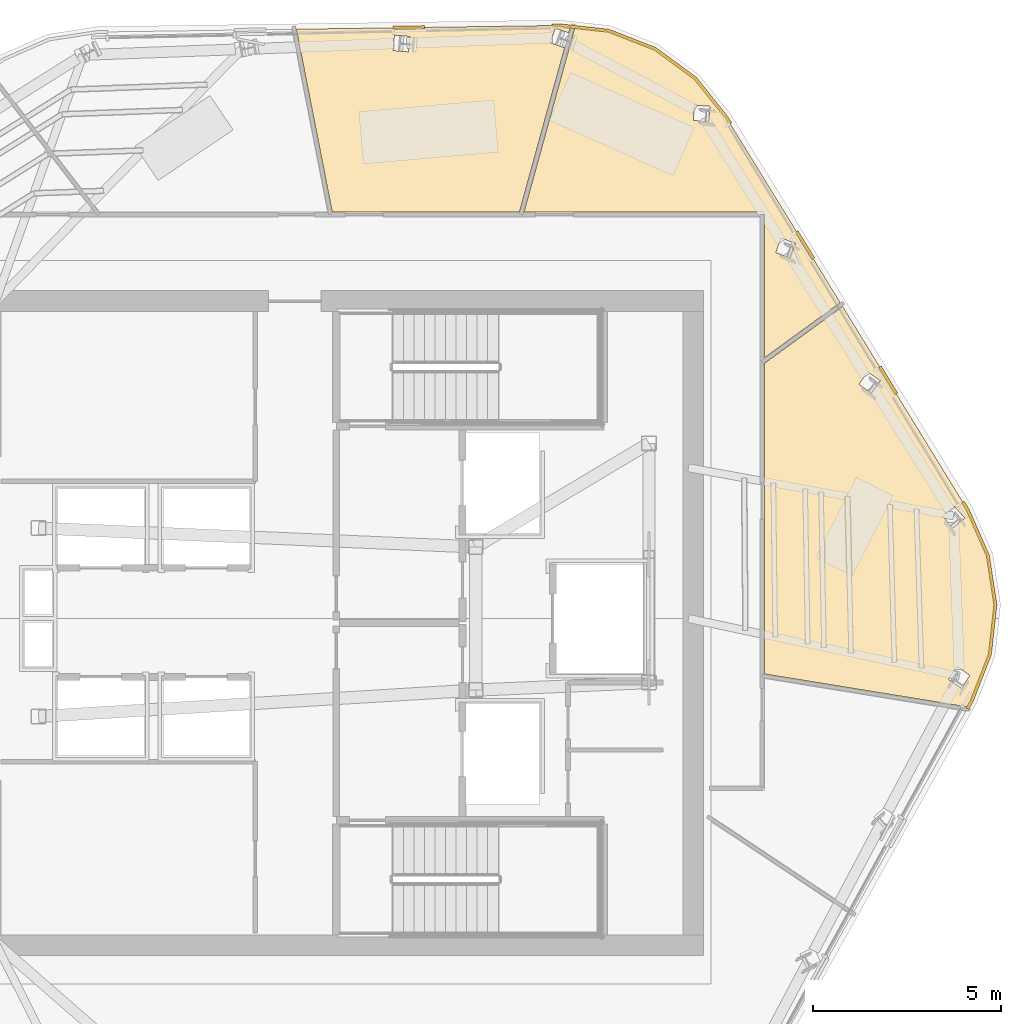
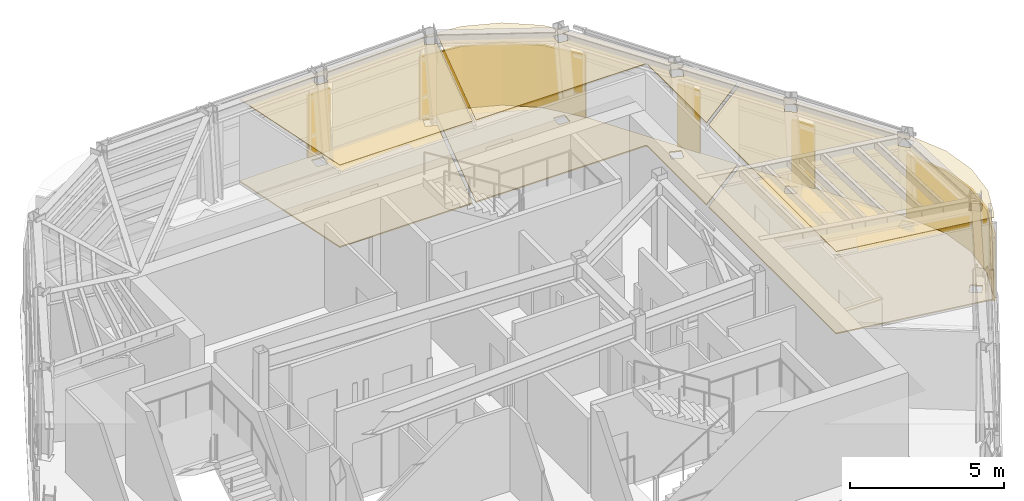
# One storey, part 12 of 13: 11 coverings.
"""IFC4 building model written with IfcOpenShell, lengths in metres."""

from ifc_helpers import new_model, si_unit, direction, frame, origin, place, context, subcontext, project, spatial, polyline, outline, extrude, material, layer, layer_set, type_object, element, save


model = new_model("IFC4")

# Units and contexts
model_context = context("Model", 3, precision=1e-05, world=origin(), true_north=direction((0.0, 1.0)))
body_context = subcontext(model_context, "Body", "Model", "MODEL_VIEW")
ifc_project = project(units=[si_unit("LENGTHUNIT", "METRE"), si_unit("AREAUNIT", "SQUARE_METRE"), si_unit("VOLUMEUNIT", "CUBIC_METRE"), si_unit("PLANEANGLEUNIT", "RADIAN"), si_unit("MASSUNIT", "GRAM", prefix="KILO")], contexts=[model_context])

# Site, building, storey
site_placement = place(None, origin())
site = spatial("IfcSite", under=ifc_project, at=site_placement, CompositionType="ELEMENT")
building_placement = place(site_placement, origin())
building = spatial("IfcBuilding", under=site, at=building_placement, Name="Valkerne Bourse Tower", CompositionType="ELEMENT")
storey_placement = place(building_placement, frame((0.0, 0.0, 288.800048828125)))
storey = spatial("IfcBuildingStorey", under=building, at=storey_placement, Name="L73", CompositionType="ELEMENT", Elevation=288.800048828125)

# Coverings
ifc_material_1 = material(Name="Mineral Fiber Acoustic Ceiling Tile", Category="acoustic")
ifc_layer_1 = layer(ifc_material_1, 0.02490234375)
ifc_layer_set_1 = layer_set([ifc_layer_1], Name="Mineral Fiber Acoustic Ceiling Tile")
covering_type_1 = type_object("IfcCoveringType", Name="COV-CEIL-ACT", PredefinedType="CEILING", material=ifc_layer_set_1)
covering_1_placement = place(storey_placement, frame((0.0, 0.0, 3.25)))
element("IfcCovering", 1, at=covering_1_placement, inside=storey, type_object=covering_type_1, Name="L73 Suspended Ceiling 05", PredefinedType="CEILING", context=body_context, shape_type="SweptSolid", body=[
    extrude(outline(polyline([(56.173828125, 41.33544921875), (57.005126953125, 40.2978515625), (60.026123046875, 35.383056640625), (58.01904296875, 33.92333984375), (58.01904296875, 37.720458984375), (58.009521484375, 37.755126953125), (57.98583984375, 37.779052734375), (57.95068359375, 37.7890625), (51.633056640625, 37.7890625), (52.984375, 42.69482421875), (53.881103515625, 42.595947265625), (55.1103515625, 42.116455078125), (56.173828125, 41.33544921875)]), holes=[polyline([(58.8369140625, 36.960205078125), (58.451171875, 37.094482421875), (58.316650390625, 36.7109375), (58.318115234375, 36.708984375), (58.7041015625, 36.57470703125), (58.83837890625, 36.95849609375), (58.8369140625, 36.960205078125)]), polyline([(56.566162109375, 40.594970703125), (56.158935546875, 40.626953125), (56.126220703125, 40.2216796875), (56.1279296875, 40.22021484375), (56.535400390625, 40.188232421875), (56.568115234375, 40.593505859375), (56.566162109375, 40.594970703125)])]), origin(), (0.0, 0.0, 1.0), 0.02490234375),
])
covering_2_placement = place(storey_placement, frame((0.0, 0.0, 3.25)))
element("IfcCovering", 2, at=covering_2_placement, inside=storey, type_object=covering_type_1, Name="L73 Suspended Ceiling 06", PredefinedType="CEILING", context=body_context, shape_type="SweptSolid", body=[
    extrude(outline(polyline([(52.81982421875, 42.54248046875), (52.467529296875, 42.668701171875), (52.329345703125, 42.283447265625), (52.33154296875, 42.28271484375), (52.7109375, 42.146484375), (51.510498046875, 37.7890625), (46.54345703125, 37.7890625), (45.59130859375, 42.641845703125), (52.5595703125, 42.74169921875), (52.865478515625, 42.7080078125), (52.81982421875, 42.54248046875)]), holes=[polyline([(48.60009765625, 42.4482421875), (48.19580078125, 42.48388671875), (48.159912109375, 42.076171875), (48.162109375, 42.075927734375), (48.56640625, 42.040283203125), (48.602294921875, 42.447998046875), (48.60009765625, 42.4482421875)])]), origin(), (0.0, 0.0, 1.0), 0.02490234375),
])
covering_3_placement = place(storey_placement, frame((0.0, 0.0, 3.25)))
element("IfcCovering", 3, at=covering_3_placement, inside=storey, type_object=covering_type_1, Name="L73 Suspended Ceiling 08", PredefinedType="CEILING", context=body_context, shape_type="SweptSolid", body=[
    extrude(outline(polyline([(63.9951171875, 26.051513671875), (63.512451171875, 24.813720703125), (63.421142578125, 24.650146484375), (58.01904296875, 25.5283203125), (58.01904296875, 33.77734375), (60.088134765625, 35.2822265625), (63.40625, 29.884033203125), (63.940185546875, 28.66748046875), (64.139892578125, 27.36328125), (63.9951171875, 26.051513671875)]), holes=[polyline([(63.46826171875, 25.487548828125), (63.468505859375, 25.48974609375), (63.133544921875, 25.72021484375), (62.9013671875, 25.384033203125), (62.901123046875, 25.381591796875), (63.236083984375, 25.1513671875), (63.46826171875, 25.487548828125)]), polyline([(63.32568359375, 29.66552734375), (63.06103515625, 29.97705078125), (62.750732421875, 29.714599609375), (62.7509765625, 29.712158203125), (63.015380859375, 29.400634765625), (63.325927734375, 29.6630859375), (63.32568359375, 29.66552734375)]), polyline([(61.091796875, 33.31201171875), (60.7568359375, 33.54638671875), (60.523193359375, 33.213623046875), (60.52392578125, 33.211669921875), (60.85888671875, 32.977294921875), (61.092529296875, 33.309814453125), (61.091796875, 33.31201171875)])]), origin(), (0.0, 0.0, 1.0), 0.02490234375),
])
ifc_material_2 = material(Name="Bronze Anodised Aluminium AA 6063-T6", Category="aluminium")
ifc_layer_2 = layer(ifc_material_2, 0.06005859375)
ifc_layer_set_2 = layer_set([ifc_layer_2], Name="Bronze Anodised Aluminium AA 6063-T6")
covering_type_2 = type_object("IfcCoveringType", Name="COV-CRN-ALUM", PredefinedType="CLADDING", material=ifc_layer_set_2)
covering_4_placement = place(storey_placement, origin())
element("IfcCovering", 4, at=covering_4_placement, inside=storey, type_object=covering_type_2, Name="L73 Wind-Shaped Corner Aluminium Cladding 01", PredefinedType="CLADDING", context=body_context, shape_type="SweptSolid", body=[
    extrude(outline(polyline([(63.98291015625, 28.679931640625), (64.18408203125, 27.3642578125), (64.0380859375, 26.041015625), (63.55224609375, 24.794921875), (63.435302734375, 24.585205078125), (63.365234375, 24.623779296875), (63.479736328125, 24.8291015625), (63.959716796875, 26.060302734375), (64.103515625, 27.362548828125), (63.905517578125, 28.657470703125), (63.374267578125, 29.867431640625), (63.2509765625, 30.06787109375), (63.319580078125, 30.109375), (63.4453125, 29.904541015625), (63.98291015625, 28.679931640625)])), origin(), (0.0, 0.0, 1.0), 2.5),
])
covering_5_placement = place(storey_placement, origin())
element("IfcCovering", 5, at=covering_5_placement, inside=storey, type_object=covering_type_2, Name="L73 Wind-Shaped Corner Aluminium Cladding 15", PredefinedType="CLADDING", context=body_context, shape_type="SweptSolid", body=[
    extrude(outline(polyline([(48.996826171875, 42.734619140625), (48.99853515625, 42.65478515625), (48.15869140625, 42.642578125), (48.156982421875, 42.72265625), (48.996826171875, 42.734619140625)])), origin(), (0.0, 0.0, 1.0), 2.5),
])
covering_6_placement = place(storey_placement, origin())
element("IfcCovering", 6, at=covering_6_placement, inside=storey, type_object=covering_type_2, Name="L73 Wind-Shaped Corner Aluminium Cladding 16", PredefinedType="CLADDING", context=body_context, shape_type="SweptSolid", body=[
    extrude(outline(polyline([(52.5615234375, 42.785888671875), (53.8916015625, 42.638916015625), (55.1318359375, 42.155517578125), (56.20458984375, 41.367431640625), (57.041259765625, 40.322998046875), (57.14208984375, 40.15869140625), (57.07373046875, 40.117431640625), (56.9755859375, 40.277099609375), (56.148681640625, 41.30908203125), (55.093017578125, 42.084716796875), (53.872314453125, 42.560546875), (52.557861328125, 42.705810546875), (52.370361328125, 42.703125), (52.36865234375, 42.783203125), (52.5615234375, 42.785888671875)])), origin(), (0.0, 0.0, 1.0), 2.5),
])
covering_7_placement = place(storey_placement, origin())
element("IfcCovering", 7, at=covering_7_placement, inside=storey, type_object=covering_type_2, Name="L73 Wind-Shaped Corner Aluminium Cladding 17", PredefinedType="CLADDING", context=body_context, shape_type="SweptSolid", body=[
    extrude(outline(polyline([(59.347900390625, 36.5703125), (59.279541015625, 36.529052734375), (58.839599609375, 37.24462890625), (58.907958984375, 37.285888671875), (59.347900390625, 36.5703125)])), origin(), (0.0, 0.0, 1.0), 2.5),
])
covering_8_placement = place(storey_placement, origin())
element("IfcCovering", 8, at=covering_8_placement, inside=storey, type_object=covering_type_2, Name="L73 Wind-Shaped Corner Aluminium Cladding 18", PredefinedType="CLADDING", context=body_context, shape_type="SweptSolid", body=[
    extrude(outline(polyline([(61.5537109375, 32.982177734375), (61.485107421875, 32.940673828125), (61.04541015625, 33.65625), (61.11376953125, 33.69775390625), (61.5537109375, 32.982177734375)])), origin(), (0.0, 0.0, 1.0), 2.5),
])
ifc_material_3 = material(Name="Galvanised Painted Steel", Category="steel")
ifc_layer_3 = layer(ifc_material_3, 0.044921875)
ifc_layer_set_3 = layer_set([ifc_layer_3], Name="Galvanised Painted Steel")
covering_type_3 = type_object("IfcCoveringType", Name="COV-FLR-RAF", PredefinedType="FLOORING", material=ifc_layer_set_3)
covering_9_placement = place(storey_placement, origin())
element("IfcCovering", 9, at=covering_9_placement, inside=storey, type_object=covering_type_3, Name="L73 Floor Finish 05", PredefinedType="FLOORING", context=body_context, shape_type="SweptSolid", body=[
    extrude(outline(polyline([(56.173828125, 41.33544921875), (57.005126953125, 40.2978515625), (60.026123046875, 35.383056640625), (58.01904296875, 33.92333984375), (58.01904296875, 37.720458984375), (58.009521484375, 37.755126953125), (57.98583984375, 37.779052734375), (57.95068359375, 37.7890625), (51.633056640625, 37.7890625), (52.984375, 42.69482421875), (53.881103515625, 42.595947265625), (55.1103515625, 42.116455078125), (56.173828125, 41.33544921875)]), holes=[polyline([(58.8369140625, 36.960205078125), (58.451171875, 37.094482421875), (58.316650390625, 36.7109375), (58.318115234375, 36.708984375), (58.7041015625, 36.57470703125), (58.83837890625, 36.95849609375), (58.8369140625, 36.960205078125)]), polyline([(56.566162109375, 40.594970703125), (56.158935546875, 40.626953125), (56.126220703125, 40.2216796875), (56.1279296875, 40.22021484375), (56.535400390625, 40.188232421875), (56.568115234375, 40.593505859375), (56.566162109375, 40.594970703125)])]), origin(), (0.0, 0.0, 1.0), 0.044921875),
])
covering_10_placement = place(storey_placement, origin())
element("IfcCovering", 10, at=covering_10_placement, inside=storey, type_object=covering_type_3, Name="L73 Floor Finish 06", PredefinedType="FLOORING", context=body_context, shape_type="SweptSolid", body=[
    extrude(outline(polyline([(52.81982421875, 42.54248046875), (52.467529296875, 42.668701171875), (52.329345703125, 42.283447265625), (52.33154296875, 42.28271484375), (52.7109375, 42.146484375), (51.510498046875, 37.7890625), (46.54345703125, 37.7890625), (45.59130859375, 42.641845703125), (52.5595703125, 42.74169921875), (52.865478515625, 42.7080078125), (52.81982421875, 42.54248046875)]), holes=[polyline([(48.60009765625, 42.4482421875), (48.19580078125, 42.48388671875), (48.159912109375, 42.076171875), (48.162109375, 42.075927734375), (48.56640625, 42.040283203125), (48.602294921875, 42.447998046875), (48.60009765625, 42.4482421875)])]), origin(), (0.0, 0.0, 1.0), 0.044921875),
])
covering_11_placement = place(storey_placement, origin())
element("IfcCovering", 11, at=covering_11_placement, inside=storey, type_object=covering_type_3, Name="L73 Floor Finish 08", PredefinedType="FLOORING", context=body_context, shape_type="SweptSolid", body=[
    extrude(outline(polyline([(63.9951171875, 26.051513671875), (63.512451171875, 24.813720703125), (63.421142578125, 24.650146484375), (58.01904296875, 25.5283203125), (58.01904296875, 33.77734375), (60.088134765625, 35.2822265625), (63.40625, 29.884033203125), (63.940185546875, 28.66748046875), (64.139892578125, 27.36328125), (63.9951171875, 26.051513671875)]), holes=[polyline([(63.46826171875, 25.487548828125), (63.468505859375, 25.48974609375), (63.133544921875, 25.72021484375), (62.9013671875, 25.384033203125), (62.901123046875, 25.381591796875), (63.236083984375, 25.1513671875), (63.46826171875, 25.487548828125)]), polyline([(63.32568359375, 29.66552734375), (63.06103515625, 29.97705078125), (62.750732421875, 29.714599609375), (62.7509765625, 29.712158203125), (63.015380859375, 29.400634765625), (63.325927734375, 29.6630859375), (63.32568359375, 29.66552734375)]), polyline([(61.091796875, 33.31201171875), (60.7568359375, 33.54638671875), (60.523193359375, 33.213623046875), (60.52392578125, 33.211669921875), (60.85888671875, 32.977294921875), (61.092529296875, 33.309814453125), (61.091796875, 33.31201171875)])]), origin(), (0.0, 0.0, 1.0), 0.044921875),
])

save(model, "model.ifc")
